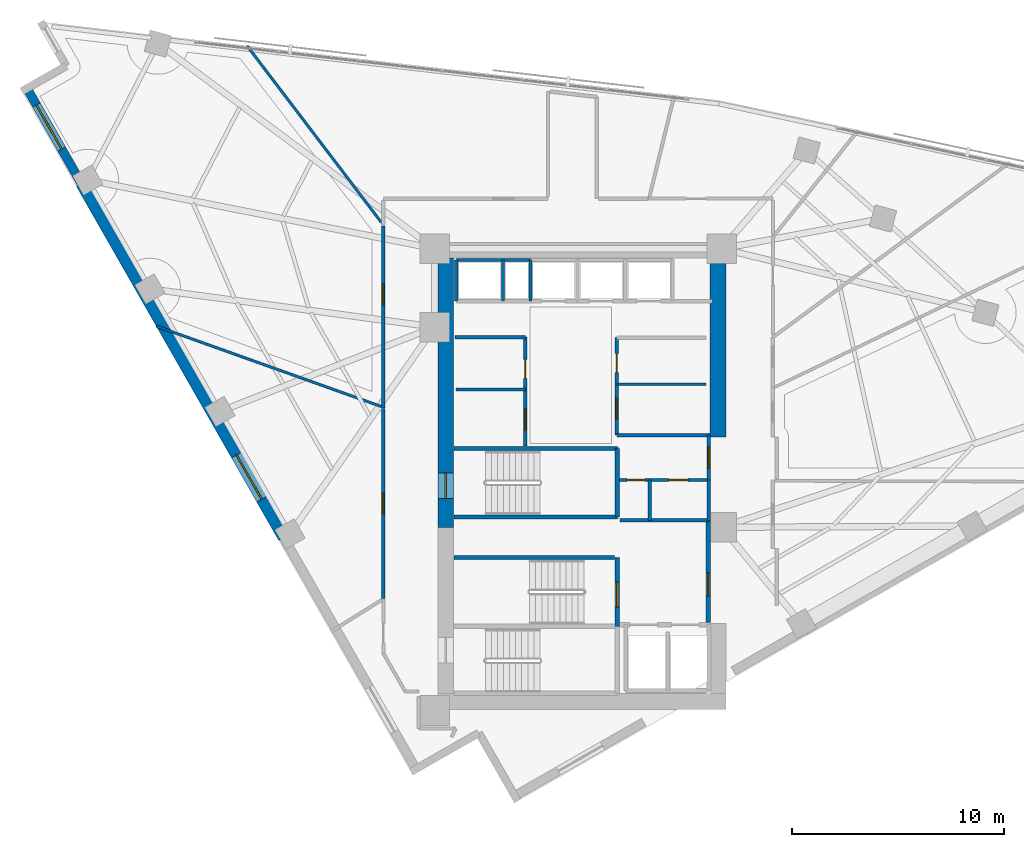
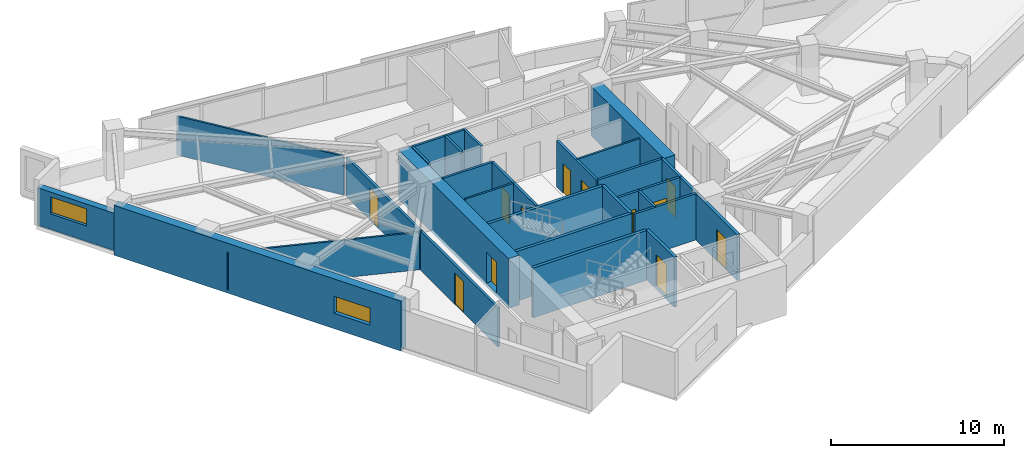
# One storey, part 9 of 14: 29 walls, 12 doors, 2 windows, 14 openings.
"""IFC4 building model written with IfcOpenShell, lengths in metres."""

import ifcopenshell
import ifcopenshell.guid

model = None  # the IFC model being written
_history = None  # IfcOwnerHistory: only IFC2X3 demands one
_inside = {}  # id of a spatial element -> (the spatial element, [elements in it])
_under = {}  # id of a project, library or spatial element -> (it, [spatial elements below it])
_declared = {}  # id of a project -> (the project, [libraries it declares])
_typed = {}  # id of a type object -> (the type object, [elements of that type])
_made_of = {}  # id of a material, layer set ... -> (it, [elements and type objects made of it])


def new_model(schema):
    """Start an empty IFC model of exactly this schema.

    Asked for "IFC4X3", IfcOpenShell would pick the latest addendum, in which some entities
    have other attributes; the version numbers below select the first issue.
    IFC2X3 requires an IfcOwnerHistory on every rooted entity: one is made here for all.
    """
    global model, _history
    if schema == "IFC4X3":
        model = ifcopenshell.file(schema_version=(4, 3, 0, 0))
    else:
        model = ifcopenshell.file(schema=schema)
    _inside.clear()
    _under.clear()
    _declared.clear()
    _typed.clear()
    _made_of.clear()
    _history = None
    if model.schema == "IFC2X3":
        org = make("IfcOrganization", Name="unknown")
        user = make(
            "IfcPersonAndOrganization",
            ThePerson=make("IfcPerson", FamilyName="unknown"),
            TheOrganization=org,
        )
        app = make(
            "IfcApplication",
            ApplicationDeveloper=org,
            Version="unknown",
            ApplicationFullName="unknown",
            ApplicationIdentifier="unknown",
        )
        _history = make(
            "IfcOwnerHistory",
            OwningUser=user,
            OwningApplication=app,
            ChangeAction="ADDED",
            CreationDate=0,
        )
    return model


def make(cls, **values):
    """One entity of the class cls with the attributes given. An attribute that is None is left unset."""
    return model.create_entity(
        cls, **{name: value for name, value in values.items() if value is not None}
    )


def rooted(cls, **values):
    """An entity with a GlobalId (a new one), such as an element, a storey or a relation."""
    return make(cls, GlobalId=ifcopenshell.guid.new(), OwnerHistory=_history, **values)


def si_unit(unit_type, name, prefix=None):
    """IfcSIUnit, for example si_unit("LENGTHUNIT", "METRE", prefix="MILLI")."""
    return make("IfcSIUnit", UnitType=unit_type, Prefix=prefix, Name=name)


def assignment(units):
    """IfcUnitAssignment: the units of a project."""
    return None if units is None else make("IfcUnitAssignment", Units=units)


def point(xyz):
    """IfcCartesianPoint."""
    return None if xyz is None else make("IfcCartesianPoint", Coordinates=xyz)


def direction(xyz):
    """IfcDirection."""
    return None if xyz is None else make("IfcDirection", DirectionRatios=xyz)


def frame(location, z_axis=None, x_axis=None):
    """IfcAxis2Placement3D, a coordinate frame: its origin and axes. An axis left out is left unset."""
    return make(
        "IfcAxis2Placement3D",
        Location=point(location),
        Axis=direction(z_axis),
        RefDirection=direction(x_axis),
    )


def frame_2d(location, x_axis=None):
    """IfcAxis2Placement2D, a coordinate frame in the plane: its origin and x axis."""
    return make(
        "IfcAxis2Placement2D", Location=point(location), RefDirection=direction(x_axis)
    )


def origin():
    """The frame at (0, 0, 0) with its axes left unset."""
    return frame((0.0, 0.0, 0.0))


def place(relative_to, where):
    """IfcLocalPlacement: puts the frame where relative to a parent placement (None: the world)."""
    return make(
        "IfcLocalPlacement", PlacementRelTo=relative_to, RelativePlacement=where
    )


def context(
    kind, dimensions, precision=None, world=None, true_north=None, identifier=None
):
    """IfcGeometricRepresentationContext, for example the 3D "Model" context."""
    return make(
        "IfcGeometricRepresentationContext",
        ContextIdentifier=identifier,
        ContextType=kind,
        CoordinateSpaceDimension=dimensions,
        Precision=precision,
        WorldCoordinateSystem=world,
        TrueNorth=true_north,
    )


def subcontext(parent, identifier, kind, view, scale=None):
    """IfcGeometricRepresentationSubContext, for example "Body" below "Model"."""
    return make(
        "IfcGeometricRepresentationSubContext",
        ContextIdentifier=identifier,
        ContextType=kind,
        ParentContext=parent,
        TargetScale=scale,
        TargetView=view,
    )


def project(units=None, contexts=None):
    """IfcProject with its units and contexts."""
    return rooted(
        "IfcProject",
        Name="project",
        RepresentationContexts=contexts,
        UnitsInContext=assignment(units),
    )


def spatial(cls, under=None, at=None, **own):
    """A site, building, storey or space (cls), placed at a placement, below another one or the project."""
    s = rooted(cls, ObjectPlacement=at, **own)
    if under is not None:
        _under.setdefault(under.id(), (under, []))[1].append(s)
    return s


def profile(cls, at=None, kind="AREA", **sizes):
    """A parametric profile (cls). Its sizes go by their IFC names, for example OverallWidth=200.0."""
    return make(cls, ProfileType=kind, Position=at, **sizes)


def rectangle(**sizes):
    """IfcRectangleProfileDef."""
    return profile("IfcRectangleProfileDef", **sizes)


def extrude(swept, where, along, depth):
    """IfcExtrudedAreaSolid: the profile swept, set in the frame where, extruded along a direction by depth."""
    return make(
        "IfcExtrudedAreaSolid",
        SweptArea=swept,
        Position=where,
        ExtrudedDirection=direction(along),
        Depth=depth,
    )


def shape(context_of_items, identifier, shape_type, items):
    """IfcShapeRepresentation: the items that make up one representation, for example the "Body"."""
    return make(
        "IfcShapeRepresentation",
        ContextOfItems=context_of_items,
        RepresentationIdentifier=identifier,
        RepresentationType=shape_type,
        Items=items,
    )


def material(Name=None, Category=None):
    """IfcMaterial."""
    return make("IfcMaterial", Name=Name, Category=Category)


def layer(
    of_material, thickness, ventilated=None, Name=None, Category=None, Priority=None
):
    """IfcMaterialLayer: one layer of a wall or slab, of a material (None: an air gap)."""
    return make(
        "IfcMaterialLayer",
        Material=of_material,
        LayerThickness=thickness,
        IsVentilated=ventilated,
        Name=Name,
        Category=Category,
        Priority=Priority,
    )


def layer_set(layers, Name=None):
    """IfcMaterialLayerSet."""
    return make("IfcMaterialLayerSet", MaterialLayers=layers, LayerSetName=Name)


def made_of(thing, what):
    """Note that an element or type object is made of a material, layer set ...; save() writes the relation."""
    if what is not None:
        _made_of.setdefault(what.id(), (what, []))[1].append(thing)
    return thing


def type_object(cls, material=None, **own):
    """A type object (cls), such as IfcWallType, which elements share."""
    return made_of(rooted(cls, **own), material)


def element(
    cls,
    number,
    at=None,
    inside=None,
    cuts=None,
    type_object=None,
    material=None,
    context=None,
    identifier="Body",
    shape_type=None,
    held_by="IfcProductDefinitionShape",
    body=None,
    shapes=None,
    **own,
):
    """One element of the class cls, such as IfcWall. Its Tag is "e" and its number.

    at: its placement. inside: the storey or other place that contains it. cuts: it is an
    opening in that element (IfcRelVoidsElement). A single representation is given by context,
    identifier, shape_type and body (its items); several are given by shapes. held_by: the class
    of the entity that holds the representations. save() writes the other relations.
    """
    e = rooted(cls, Tag="e%d" % number, ObjectPlacement=at, **own)
    if body is not None:
        shapes = [shape(context, identifier, shape_type, body)]
    if shapes is not None:
        e.Representation = make(held_by, Representations=shapes)
    if inside is not None:
        _inside.setdefault(inside.id(), (inside, []))[1].append(e)
    if cuts is not None:
        rooted(
            "IfcRelVoidsElement", RelatingBuildingElement=cuts, RelatedOpeningElement=e
        )
    if type_object is not None:
        _typed.setdefault(type_object.id(), (type_object, []))[1].append(e)
    return made_of(e, material)


def fill(opening, filler):
    """IfcRelFillsElement: the door or window that sits in an opening."""
    return rooted(
        "IfcRelFillsElement",
        RelatingOpeningElement=opening,
        RelatedBuildingElement=filler,
    )


def aggregate(whole, parts):
    """IfcRelAggregates: a whole, such as a stair, and the parts it consists of."""
    return rooted("IfcRelAggregates", RelatingObject=whole, RelatedObjects=parts)


def save(model, path):
    """Write the relations noted so far, then the file.

    IfcRelAggregates (storeys below a building ...), IfcRelContainedInSpatialStructure (elements
    in a storey), IfcRelDefinesByType, IfcRelAssociatesMaterial and IfcRelDeclares: one each for
    every whole, place, type object, material and project.
    """
    for whole, parts in _under.values():
        aggregate(whole, parts)
    for where, things in _inside.values():
        rooted(
            "IfcRelContainedInSpatialStructure",
            RelatedElements=things,
            RelatingStructure=where,
        )
    for kind, things in _typed.values():
        rooted("IfcRelDefinesByType", RelatedObjects=things, RelatingType=kind)
    for what, things in _made_of.values():
        rooted("IfcRelAssociatesMaterial", RelatedObjects=things, RelatingMaterial=what)
    for by, libraries in _declared.values():
        rooted("IfcRelDeclares", RelatingContext=by, RelatedDefinitions=libraries)
    model.write(path)


model = new_model("IFC4")

# Units and contexts
model_context = context("Model", 3, precision=1e-05, world=origin(), true_north=direction((0.0, 1.0)))
body_context = subcontext(model_context, "Body", "Model", "MODEL_VIEW")
ifc_project = project(units=[si_unit("LENGTHUNIT", "METRE"), si_unit("AREAUNIT", "SQUARE_METRE"), si_unit("VOLUMEUNIT", "CUBIC_METRE"), si_unit("PLANEANGLEUNIT", "RADIAN"), si_unit("MASSUNIT", "GRAM", prefix="KILO")], contexts=[model_context])

# Site, building, storey
site_placement = place(None, origin())
site = spatial("IfcSite", under=ifc_project, at=site_placement, CompositionType="ELEMENT")
building_placement = place(site_placement, origin())
building = spatial("IfcBuilding", under=site, at=building_placement, Name="Narakoshi Arena Tower", CompositionType="ELEMENT")
storey_placement = place(building_placement, frame((0.0, 0.0, 204.419921875)))
storey = spatial("IfcBuildingStorey", under=building, at=storey_placement, Name="L55", CompositionType="ELEMENT", Elevation=204.419921875)

# Wall, opening, door
ifc_material_1 = material(Name="Concrete C50/60", Category="concrete")
ifc_layer_1 = layer(ifc_material_1, 0.75)
ifc_layer_set_1 = layer_set([ifc_layer_1], Name="Concrete C50/60")
wall_type_1 = type_object("IfcWallType", Name="WL-CORE-750", PredefinedType="SHEAR", material=ifc_layer_set_1)
wall_1_placement = place(storey_placement, frame((72.52490234375, 43.35009765625, -0.260009765625), z_axis=(0.0, 0.0, 1.0), x_axis=(0.0, 1.0, 0.0)))
wall_1 = element("IfcWall", 1, at=wall_1_placement, inside=storey, type_object=wall_type_1, Name="L55 Main Core Shear Wall CW-MN-W", PredefinedType="SHEAR", context=body_context, shape_type="SweptSolid", body=[
    extrude(rectangle(XDim=12.699951171875, YDim=0.75, at=frame_2d((6.35009765625, 0.0))), origin(), (0.0, 0.0, 1.0), 3.52001953125),
])
opening_1_placement = place(wall_1_placement, frame((1.35009765625, 0.0, 0.260009765625)))
opening_1 = element("IfcOpeningElement", 2, at=opening_1_placement, cuts=wall_1, Name="Opening D-03", PredefinedType="OPENING", context=body_context, shape_type="SweptSolid", body=[
    extrude(rectangle(XDim=1.199951171875, YDim=2.199951171875, at=frame_2d((0.60009765625, 1.10009765625))), frame((0.0, 0.385009765625, 0.0), z_axis=(0.0, -1.0, 0.0), x_axis=(1.0, 0.0, 0.0)), (0.0, 0.0, 1.0), 0.77001953125),
])
ifc_material_2 = material(Name="Painted galvanized steel", Category="steel")
door_type_1 = type_object("IfcDoorType", Name="DR-STR-1200", OperationType="NOTDEFINED", PredefinedType="USERDEFINED", material=ifc_material_2)
door_1_placement = place(opening_1_placement, frame((1.199951171875, 0.0, 0.0), z_axis=(0.0, 0.0, 1.0), x_axis=(-1.0, 0.0, 0.0)))
door_1 = element("IfcDoor", 3, at=door_1_placement, inside=storey, type_object=door_type_1, Name="DR-L55-006", ObjectType="EXITDOOR", OperationType="SINGLE_SWING_LEFT", OverallHeight=2.199951171875, OverallWidth=1.199951171875, PredefinedType="USERDEFINED", context=body_context, shape_type="SweptSolid", body=[
    extrude(rectangle(XDim=1.199951171875, YDim=2.199951171875, at=frame_2d((0.60009765625, 1.10009765625))), frame((0.0, 0.02490234375, 0.0), z_axis=(0.0, -1.0, 0.0), x_axis=(1.0, 0.0, 0.0)), (0.0, 0.0, 1.0), 0.050048828125),
])
fill(opening_1, door_1)

# Wall
wall_2_placement = place(storey_placement, frame((85.375, 47.60009765625, -0.260009765625), z_axis=(0.0, 0.0, 1.0), x_axis=(0.0, 1.0, 0.0)))
element("IfcWall", 4, at=wall_2_placement, inside=storey, type_object=wall_type_1, Name="L55 Main Core Shear Wall CW-MN-E", PredefinedType="SHEAR", context=body_context, shape_type="SweptSolid", body=[
    extrude(rectangle(XDim=8.449951171875, YDim=0.75, at=frame_2d((4.22509765625, 0.0))), origin(), (0.0, 0.0, 1.0), 3.52001953125),
])

# Wall, opening, door
ifc_material_3 = material(Name="Gypsum plasterboard fire-rated partition")
ifc_layer_2 = layer(ifc_material_3, 0.1650390625)
ifc_layer_set_2 = layer_set([ifc_layer_2], Name="Gypsum plasterboard fire-rated partition")
wall_type_2 = type_object("IfcWallType", Name="WL-CORR-165", PredefinedType="PARTITIONING", material=ifc_layer_set_2)
wall_3_placement = place(storey_placement, frame((84.949951171875, 45.580078125, 0.0), z_axis=(0.0, 0.0, 1.0), x_axis=(0.0, 1.0, 0.0)))
wall_3 = element("IfcWall", 5, at=wall_3_placement, inside=storey, type_object=wall_type_2, Name="L55 Core Wall CPAS-E", PredefinedType="PARTITIONING", context=body_context, shape_type="SweptSolid", body=[
    extrude(rectangle(XDim=2.119873046875, YDim=0.1650390625, at=frame_2d((1.06005859375, 0.0))), origin(), (0.0, 0.0, 1.0), 3.260009765625),
])
opening_2_placement = place(wall_3_placement, frame((0.56005859375, 0.0, 0.0)))
opening_2 = element("IfcOpeningElement", 6, at=opening_2_placement, cuts=wall_3, Name="Opening D-06", PredefinedType="OPENING", context=body_context, shape_type="SweptSolid", body=[
    extrude(rectangle(XDim=1.0, YDim=2.199951171875, at=frame_2d((0.5, 1.10009765625))), frame((0.0, 0.092529296875, 0.0), z_axis=(0.0, -1.0, 0.0), x_axis=(1.0, 0.0, 0.0)), (0.0, 0.0, 1.0), 0.18505859375),
])
ifc_material_4 = material(Name="Stained oak solid-core timber", Category="wood")
door_type_2 = type_object("IfcDoorType", Name="DR-OFF-1000", OperationType="NOTDEFINED", PredefinedType="DOOR", material=ifc_material_4)
door_2_placement = place(opening_2_placement, frame((1.0, 0.0, 0.0), z_axis=(0.0, 0.0, 1.0), x_axis=(-1.0, 0.0, 0.0)))
door_2 = element("IfcDoor", 7, at=door_2_placement, inside=storey, type_object=door_type_2, Name="DR-L55-007", OperationType="SINGLE_SWING_LEFT", OverallHeight=2.199951171875, OverallWidth=1.0, PredefinedType="DOOR", context=body_context, shape_type="SweptSolid", body=[
    extrude(rectangle(XDim=1.0, YDim=2.199951171875, at=frame_2d((0.5, 1.10009765625))), frame((0.0, 0.02490234375, 0.0), z_axis=(0.0, -1.0, 0.0), x_axis=(1.0, 0.0, 0.0)), (0.0, 0.0, 1.0), 0.050048828125),
])
fill(opening_2, door_2)

wall_4_placement = place(storey_placement, frame((69.583251953125, 57.5703125, 0.0), z_axis=(0.0, 0.0, 1.0), x_axis=(0.0, -1.0, 0.0)))
wall_4 = element("IfcWall", 8, at=wall_4_placement, inside=storey, type_object=wall_type_2, Name="L55 Corridor Partition 08-1", PredefinedType="PARTITIONING", context=body_context, shape_type="SweptSolid", body=[
    extrude(rectangle(XDim=8.59375, YDim=0.1650390625, at=frame_2d((4.296875, 0.0))), origin(), (0.0, 0.0, 1.0), 2.7451171875),
])
opening_3_placement = place(wall_4_placement, frame((2.7177734375, 0.0, 0.0)))
opening_3 = element("IfcOpeningElement", 9, at=opening_3_placement, cuts=wall_4, Name="Opening D-06", PredefinedType="OPENING", context=body_context, shape_type="SweptSolid", body=[
    extrude(rectangle(XDim=1.0, YDim=2.199951171875, at=frame_2d((0.5, 1.10009765625))), frame((0.0, 0.092529296875, 0.0), z_axis=(0.0, -1.0, 0.0), x_axis=(1.0, 0.0, 0.0)), (0.0, 0.0, 1.0), 0.18505859375),
])
door_3_placement = place(opening_3_placement, frame((1.0, 0.0, 0.0), z_axis=(0.0, 0.0, 1.0), x_axis=(-1.0, 0.0, 0.0)))
door_3 = element("IfcDoor", 10, at=door_3_placement, inside=storey, type_object=door_type_2, Name="DR-L55-024", OperationType="SINGLE_SWING_RIGHT", OverallHeight=2.199951171875, OverallWidth=1.0, PredefinedType="DOOR", context=body_context, shape_type="SweptSolid", body=[
    extrude(rectangle(XDim=1.0, YDim=2.199951171875, at=frame_2d((0.5, 1.10009765625))), frame((0.0, 0.02490234375, 0.0), z_axis=(0.0, -1.0, 0.0), x_axis=(1.0, 0.0, 0.0)), (0.0, 0.0, 1.0), 0.050048828125),
])
fill(opening_3, door_3)

wall_5_placement = place(storey_placement, frame((69.583251953125, 48.950927734375, 0.0), z_axis=(0.0, 0.0, 1.0), x_axis=(0.0, -1.0, 0.0)))
wall_5 = element("IfcWall", 11, at=wall_5_placement, inside=storey, type_object=wall_type_2, Name="L55 Corridor Partition 09-1", PredefinedType="PARTITIONING", context=body_context, shape_type="SweptSolid", body=[
    extrude(rectangle(XDim=8.951904296875, YDim=0.1650390625, at=frame_2d((4.47607421875, 0.0))), origin(), (0.0, 0.0, 1.0), 2.7451171875),
])
opening_4_placement = place(wall_5_placement, frame((3.97607421875, 0.0, 0.0)))
opening_4 = element("IfcOpeningElement", 12, at=opening_4_placement, cuts=wall_5, Name="Opening D-06", PredefinedType="OPENING", context=body_context, shape_type="SweptSolid", body=[
    extrude(rectangle(XDim=1.0, YDim=2.199951171875, at=frame_2d((0.5, 1.10009765625))), frame((0.0, 0.092529296875, 0.0), z_axis=(0.0, -1.0, 0.0), x_axis=(1.0, 0.0, 0.0)), (0.0, 0.0, 1.0), 0.18505859375),
])
door_4_placement = place(opening_4_placement, frame((1.0, 0.0, 0.0), z_axis=(0.0, 0.0, 1.0), x_axis=(-1.0, 0.0, 0.0)))
door_4 = element("IfcDoor", 13, at=door_4_placement, inside=storey, type_object=door_type_2, Name="DR-L55-025", OperationType="SINGLE_SWING_LEFT", OverallHeight=2.199951171875, OverallWidth=1.0, PredefinedType="DOOR", context=body_context, shape_type="SweptSolid", body=[
    extrude(rectangle(XDim=1.0, YDim=2.199951171875, at=frame_2d((0.5, 1.10009765625))), frame((0.0, 0.02490234375, 0.0), z_axis=(0.0, -1.0, 0.0), x_axis=(1.0, 0.0, 0.0)), (0.0, 0.0, 1.0), 0.050048828125),
])
fill(opening_4, door_4)

# Wall, opening, window
ifc_layer_3 = layer(ifc_material_1, 0.550048828125)
ifc_layer_set_3 = layer_set([ifc_layer_3], Name="Concrete C50/60")
wall_type_3 = type_object("IfcWallType", Name="WL-LEG-550", PredefinedType="SHEAR", material=ifc_layer_set_3)
wall_6_placement = place(storey_placement, frame((55.3251953125, 59.5703125, -0.260009765625), z_axis=(0.0, 0.0, 1.0), x_axis=(0.496211351597, -0.868201759124, 0.0)))
wall_6 = element("IfcWall", 14, at=wall_6_placement, inside=storey, type_object=wall_type_3, Name="L55 Architectural Concrete Structural Wall LEGB-2", PredefinedType="SHEAR", context=body_context, shape_type="SweptSolid", body=[
    extrude(rectangle(XDim=19.242919921875, YDim=0.550048828125, at=frame_2d((9.62158203125, 0.0))), origin(), (0.0, 0.0, 1.0), 3.52001953125),
])
opening_5_placement = place(wall_6_placement, frame((14.7568359375, 0.0, 1.10009765625)))
opening_5 = element("IfcOpeningElement", 15, at=opening_5_placement, cuts=wall_6, Name="Opening WN-04", PredefinedType="OPENING", context=body_context, shape_type="SweptSolid", body=[
    extrude(rectangle(XDim=2.39990234375, YDim=1.199951171875, at=frame_2d((1.199951171875, 0.60009765625))), frame((0.0, 0.284912109375, 0.0), z_axis=(0.0, -1.0, 0.0), x_axis=(1.0, 0.0, 0.0)), (0.0, 0.0, 1.0), 0.570068359375),
])
ifc_material_5 = material(Name="Bronze-tinted low-E laminated glass", Category="glass")
window_type = type_object("IfcWindowType", Name="WIN-SLT-24x12", PartitioningType="SINGLE_PANEL", PredefinedType="WINDOW", material=ifc_material_5)
window_1_placement = place(opening_5_placement, origin())
window_1 = element("IfcWindow", 16, at=window_1_placement, inside=storey, type_object=window_type, Name="L55 LEGB2 Horizontal Slot Window 1", OverallHeight=1.199951171875, OverallWidth=2.39990234375, PartitioningType="SINGLE_PANEL", PredefinedType="WINDOW", context=body_context, shape_type="SweptSolid", body=[
    extrude(rectangle(XDim=2.39990234375, YDim=1.199951171875, at=frame_2d((1.199951171875, 0.60009765625))), frame((0.0, 0.030029296875, 0.0), z_axis=(0.0, -1.0, 0.0), x_axis=(1.0, 0.0, 0.0)), (0.0, 0.0, 1.0), 0.06005859375),
])
fill(opening_5, window_1)

# Walls
ifc_layer_4 = layer(ifc_material_3, 0.125)
ifc_layer_set_4 = layer_set([ifc_layer_4], Name="Gypsum plasterboard fire-rated partition")
wall_type_4 = type_object("IfcWallType", Name="WL-PART-125", PredefinedType="PARTITIONING", material=ifc_layer_set_4)
wall_7_placement = place(storey_placement, frame((73.0, 49.85009765625, 0.0), z_axis=(0.0, 0.0, 1.0), x_axis=(1.0, 0.0, 0.0)))
element("IfcWall", 17, at=wall_7_placement, inside=storey, type_object=wall_type_4, Name="L55 Core Wall RCL-LR-D0", PredefinedType="PARTITIONING", context=body_context, shape_type="SweptSolid", body=[
    extrude(rectangle(XDim=3.280029296875, YDim=0.125, at=frame_2d((1.64013671875, 0.0))), origin(), (0.0, 0.0, 1.0), 3.260009765625),
])
wall_8_placement = place(storey_placement, frame((80.60009765625, 50.10009765625, 0.0), z_axis=(0.0, 0.0, 1.0), x_axis=(1.0, 0.0, 0.0)))
element("IfcWall", 18, at=wall_8_placement, inside=storey, type_object=wall_type_4, Name="L55 Core Wall RCL-MR-D", PredefinedType="PARTITIONING", context=body_context, shape_type="SweptSolid", body=[
    extrude(rectangle(XDim=4.219970703125, YDim=0.125, at=frame_2d((2.10986328125, 0.0))), origin(), (0.0, 0.0, 1.0), 3.260009765625),
])
wall_9_placement = place(storey_placement, frame((69.48876953125, 57.73388671875, 0.0), z_axis=(0.0, 0.0, 1.0), x_axis=(-0.605299937373, 0.795997478524, 0.0)))
element("IfcWall", 19, at=wall_9_placement, inside=storey, type_object=wall_type_4, Name="L55 Inter-Room Partition 07-08", PredefinedType="PARTITIONING", context=body_context, shape_type="SweptSolid", body=[
    extrude(rectangle(XDim=10.48388671875, YDim=0.125, at=frame_2d((5.241943359375, 0.0))), origin(), (0.0, 0.0, 1.0), 2.7451171875),
])
wall_10_placement = place(storey_placement, frame((69.48876953125, 49.048583984375, 0.0), z_axis=(0.0, 0.0, 1.0), x_axis=(-0.941850456262, 0.336032316956, 0.0)))
element("IfcWall", 20, at=wall_10_placement, inside=storey, type_object=wall_type_4, Name="L55 Inter-Room Partition 08-09", PredefinedType="PARTITIONING", context=body_context, shape_type="SweptSolid", body=[
    extrude(rectangle(XDim=11.2919921875, YDim=0.125, at=frame_2d((5.64599609375, 0.0))), origin(), (0.0, 0.0, 1.0), 2.64501953125),
])

# Wall, opening, window
ifc_material_6 = material(Name="Precast concrete C45/55", Category="concrete")
ifc_layer_5 = layer(ifc_material_6, 0.419921875)
ifc_layer_set_5 = layer_set([ifc_layer_5], Name="Precast concrete C45/55")
wall_type_5 = type_object("IfcWallType", Name="WL-POD-420", PredefinedType="SOLIDWALL", material=ifc_layer_set_5)
wall_11_placement = place(storey_placement, frame((52.75439453125, 64.068359375, 0.0), z_axis=(0.0, 0.0, 1.0), x_axis=(0.496209984367, -0.868202540548, 0.0)))
wall_11 = element("IfcWall", 21, at=wall_11_placement, inside=storey, type_object=wall_type_5, Name="L55 Architectural Concrete Facade Wall LEGB-1", PredefinedType="SOLIDWALL", context=body_context, shape_type="SweptSolid", body=[
    extrude(rectangle(XDim=5.180908203125, YDim=0.419921875, at=frame_2d((2.59033203125, 0.0))), origin(), (0.0, 0.0, 1.0), 2.64501953125),
])
opening_6_placement = place(wall_11_placement, frame((0.89990234375, 0.0, 1.10009765625)))
opening_6 = element("IfcOpeningElement", 22, at=opening_6_placement, cuts=wall_11, Name="Opening WN-04", PredefinedType="OPENING", context=body_context, shape_type="SweptSolid", body=[
    extrude(rectangle(XDim=2.39990234375, YDim=1.199951171875, at=frame_2d((1.199951171875, 0.60009765625))), frame((0.0, 0.219970703125, 0.0), z_axis=(0.0, -1.0, 0.0), x_axis=(1.0, 0.0, 0.0)), (0.0, 0.0, 1.0), 0.43994140625),
])
window_2_placement = place(opening_6_placement, origin())
window_2 = element("IfcWindow", 23, at=window_2_placement, inside=storey, type_object=window_type, Name="L55 LEGB1 Horizontal Slot Window 1", OverallHeight=1.199951171875, OverallWidth=2.39990234375, PartitioningType="SINGLE_PANEL", PredefinedType="WINDOW", context=body_context, shape_type="SweptSolid", body=[
    extrude(rectangle(XDim=2.39990234375, YDim=1.199951171875, at=frame_2d((1.199951171875, 0.60009765625))), frame((0.0, 0.030029296875, 0.0), z_axis=(0.0, -1.0, 0.0), x_axis=(1.0, 0.0, 0.0)), (0.0, 0.0, 1.0), 0.06005859375),
])
fill(opening_6, window_2)

# Wall
ifc_material_7 = material(Name="Concrete C40/50", Category="concrete")
ifc_layer_6 = layer(ifc_material_7, 0.280029296875)
ifc_layer_set_6 = layer_set([ifc_layer_6], Name="Concrete C40/50")
wall_type_6 = type_object("IfcWallType", Name="WL-RISER-280", PredefinedType="PLUMBINGWALL", material=ifc_layer_set_6)
wall_12_placement = place(storey_placement, frame((84.949951171875, 43.679931640625, 0.0), z_axis=(0.0, 0.0, 1.0), x_axis=(0.0, 1.0, 0.0)))
element("IfcWall", 24, at=wall_12_placement, inside=storey, type_object=wall_type_6, Name="L55 Core Wall RSR-E", PredefinedType="PLUMBINGWALL", context=body_context, shape_type="SweptSolid", body=[
    extrude(rectangle(XDim=1.900146484375, YDim=0.1650390625, at=frame_2d((0.9501953125, 0.0))), origin(), (0.0, 0.0, 1.0), 3.260009765625),
])

# Wall, openings, doors
wall_13_placement = place(storey_placement, frame((80.719970703125, 45.580078125, 0.0), z_axis=(0.0, 0.0, 1.0), x_axis=(1.0, 0.0, 0.0)))
wall_13 = element("IfcWall", 25, at=wall_13_placement, inside=storey, type_object=wall_type_6, Name="L55 Core Wall RSR-N", PredefinedType="PLUMBINGWALL", context=body_context, shape_type="SweptSolid", body=[
    extrude(rectangle(XDim=4.22998046875, YDim=0.159912109375, at=frame_2d((2.114990234375, 0.0))), origin(), (0.0, 0.0, 1.0), 3.260009765625),
])
opening_7_placement = place(wall_13_placement, frame((0.35009765625, 0.0, 0.0)))
opening_7 = element("IfcOpeningElement", 26, at=opening_7_placement, cuts=wall_13, Name="Opening D-10", PredefinedType="OPENING", context=body_context, shape_type="SweptSolid", body=[
    extrude(rectangle(XDim=0.85009765625, YDim=2.050048828125, at=frame_2d((0.425048828125, 1.02490234375))), frame((0.0, 0.08984375, 0.0), z_axis=(0.0, -1.0, 0.0), x_axis=(1.0, 0.0, 0.0)), (0.0, 0.0, 1.0), 0.179931640625),
])
opening_8_placement = place(wall_13_placement, frame((2.35009765625, 0.0, 0.0)))
opening_8 = element("IfcOpeningElement", 27, at=opening_8_placement, cuts=wall_13, Name="Opening D-08", PredefinedType="OPENING", context=body_context, shape_type="SweptSolid", body=[
    extrude(rectangle(XDim=0.89990234375, YDim=2.10009765625, at=frame_2d((0.449951171875, 1.050048828125))), frame((0.0, 0.08984375, 0.0), z_axis=(0.0, -1.0, 0.0), x_axis=(1.0, 0.0, 0.0)), (0.0, 0.0, 1.0), 0.179931640625),
])
door_type_3 = type_object("IfcDoorType", Name="DR-RSR-850", OperationType="NOTDEFINED", PredefinedType="DOOR", material=ifc_material_2)
door_5_placement = place(opening_7_placement, frame((0.85009765625, 0.0, 0.0), z_axis=(0.0, 0.0, 1.0), x_axis=(-1.0, 0.0, 0.0)))
door_5 = element("IfcDoor", 28, at=door_5_placement, inside=storey, type_object=door_type_3, Name="DR-L55-008", OperationType="SINGLE_SWING_LEFT", OverallHeight=2.050048828125, OverallWidth=0.85009765625, PredefinedType="DOOR", context=body_context, shape_type="SweptSolid", body=[
    extrude(rectangle(XDim=0.85009765625, YDim=2.050048828125, at=frame_2d((0.425048828125, 1.02490234375))), frame((0.0, 0.02490234375, 0.0), z_axis=(0.0, -1.0, 0.0), x_axis=(1.0, 0.0, 0.0)), (0.0, 0.0, 1.0), 0.050048828125),
])
fill(opening_7, door_5)
ifc_material_8 = material(Name="Moisture-resistant laminate timber", Category="wood")
door_type_4 = type_object("IfcDoorType", Name="DR-WC-900", OperationType="NOTDEFINED", PredefinedType="DOOR", material=ifc_material_8)
door_6_placement = place(opening_8_placement, frame((0.89990234375, 0.0, 0.0), z_axis=(0.0, 0.0, 1.0), x_axis=(-1.0, 0.0, 0.0)))
door_6 = element("IfcDoor", 29, at=door_6_placement, inside=storey, type_object=door_type_4, Name="DR-L55-009", OperationType="SINGLE_SWING_RIGHT", OverallHeight=2.10009765625, OverallWidth=0.89990234375, PredefinedType="DOOR", context=body_context, shape_type="SweptSolid", body=[
    extrude(rectangle(XDim=0.89990234375, YDim=2.10009765625, at=frame_2d((0.449951171875, 1.050048828125))), frame((0.0, 0.02490234375, 0.0), z_axis=(0.0, -1.0, 0.0), x_axis=(1.0, 0.0, 0.0)), (0.0, 0.0, 1.0), 0.050048828125),
])
fill(opening_8, door_6)

# Walls
wall_14_placement = place(storey_placement, frame((80.760009765625, 43.679931640625, 0.0), z_axis=(0.0, 0.0, 1.0), x_axis=(1.0, 0.0, 0.0)))
element("IfcWall", 30, at=wall_14_placement, inside=storey, type_object=wall_type_6, Name="L55 Core Wall RSR-S", PredefinedType="PLUMBINGWALL", context=body_context, shape_type="SweptSolid", body=[
    extrude(rectangle(XDim=4.18994140625, YDim=0.159912109375, at=frame_2d((2.094970703125, 0.0))), origin(), (0.0, 0.0, 1.0), 3.260009765625),
])
wall_15_placement = place(storey_placement, frame((82.14990234375, 43.679931640625, 0.0), z_axis=(0.0, 0.0, 1.0), x_axis=(0.0, 1.0, 0.0)))
element("IfcWall", 31, at=wall_15_placement, inside=storey, type_object=wall_type_6, Name="L55 Core Wall RSR-M", PredefinedType="PLUMBINGWALL", context=body_context, shape_type="SweptSolid", body=[
    extrude(rectangle(XDim=1.900146484375, YDim=0.159912109375, at=frame_2d((0.9501953125, 0.0))), origin(), (0.0, 0.0, 1.0), 3.260009765625),
])
for number, where, z_axis, x_axis, name in (
    (32, (73.02001953125, 54.02001953125, 0.0), (0.0, 0.0, 1.0), (0.0, 1.0, 0.0), "L55 Core Wall OBS-W"),
    (33, (75.219970703125, 54.02001953125, 0.0), (0.0, 0.0, 1.0), (0.0, 1.0, 0.0), "L55 Core Wall OBS-M"),
):
    element("IfcWall", number, at=place(storey_placement, frame(where, z_axis=z_axis, x_axis=x_axis)), inside=storey, type_object=wall_type_6, Name=name, PredefinedType="PLUMBINGWALL", context=body_context, shape_type="SweptSolid", body=[
        extrude(rectangle(XDim=1.93994140625, YDim=0.14990234375, at=frame_2d((0.969970703125, 0.0))), origin(), (0.0, 0.0, 1.0), 3.260009765625),
    ])

# Wall, opening, door
ifc_layer_7 = layer(ifc_material_1, 0.35009765625)
ifc_layer_set_7 = layer_set([ifc_layer_7], Name="Concrete C50/60")
wall_type_7 = type_object("IfcWallType", Name="WL-SHAFT-350", PredefinedType="SOLIDWALL", material=ifc_layer_set_7)
wall_16_placement = place(storey_placement, frame((80.6201171875, 38.675048828125, -0.260009765625), z_axis=(0.0, 0.0, 1.0), x_axis=(0.0, 1.0, 0.0)))
wall_16 = element("IfcWall", 34, at=wall_16_placement, inside=storey, type_object=wall_type_7, Name="L55 Core Wall ST2-E", PredefinedType="SOLIDWALL", context=body_context, shape_type="SweptSolid", body=[
    extrude(rectangle(XDim=3.244873046875, YDim=0.199951171875, at=frame_2d((1.62255859375, 0.0))), origin(), (0.0, 0.0, 1.0), 3.52001953125),
])
opening_9_placement = place(wall_16_placement, frame((0.89990234375, 0.0, 0.260009765625)))
opening_9 = element("IfcOpeningElement", 35, at=opening_9_placement, cuts=wall_16, Name="Opening D-03", PredefinedType="OPENING", context=body_context, shape_type="SweptSolid", body=[
    extrude(rectangle(XDim=1.199951171875, YDim=2.199951171875, at=frame_2d((0.60009765625, 1.10009765625))), frame((0.0, 0.10986328125, 0.0), z_axis=(0.0, -1.0, 0.0), x_axis=(1.0, 0.0, 0.0)), (0.0, 0.0, 1.0), 0.219970703125),
])
door_7_placement = place(opening_9_placement, origin())
door_7 = element("IfcDoor", 36, at=door_7_placement, inside=storey, type_object=door_type_1, Name="DR-L55-002", ObjectType="EXITDOOR", OperationType="SINGLE_SWING_RIGHT", OverallHeight=2.199951171875, OverallWidth=1.199951171875, PredefinedType="USERDEFINED", context=body_context, shape_type="SweptSolid", body=[
    extrude(rectangle(XDim=1.199951171875, YDim=2.199951171875, at=frame_2d((0.60009765625, 1.10009765625))), frame((0.0, 0.02490234375, 0.0), z_axis=(0.0, -1.0, 0.0), x_axis=(1.0, 0.0, 0.0)), (0.0, 0.0, 1.0), 0.050048828125),
])
fill(opening_9, door_7)

wall_17_placement = place(storey_placement, frame((84.919921875, 38.85009765625, 0.0), z_axis=(0.0, 0.0, 1.0), x_axis=(0.0, 1.0, 0.0)))
wall_17 = element("IfcWall", 37, at=wall_17_placement, inside=storey, type_object=wall_type_7, Name="L55 Core Wall FFLOB-E", PredefinedType="SOLIDWALL", context=body_context, shape_type="SweptSolid", body=[
    extrude(rectangle(XDim=4.829833984375, YDim=0.199951171875, at=frame_2d((2.4150390625, 0.0))), origin(), (0.0, 0.0, 1.0), 3.260009765625),
])
opening_10_placement = place(wall_17_placement, frame((1.25, 0.0, 0.0)))
opening_10 = element("IfcOpeningElement", 38, at=opening_10_placement, cuts=wall_17, Name="Opening D-04", PredefinedType="OPENING", context=body_context, shape_type="SweptSolid", body=[
    extrude(rectangle(XDim=1.10009765625, YDim=2.199951171875, at=frame_2d((0.550048828125, 1.10009765625))), frame((0.0, 0.10986328125, 0.0), z_axis=(0.0, -1.0, 0.0), x_axis=(1.0, 0.0, 0.0)), (0.0, 0.0, 1.0), 0.219970703125),
])
door_type_5 = type_object("IfcDoorType", Name="DR-FFL-1100", OperationType="NOTDEFINED", PredefinedType="DOOR", material=ifc_material_2)
door_8_placement = place(opening_10_placement, frame((1.10009765625, 0.0, 0.0), z_axis=(0.0, 0.0, 1.0), x_axis=(-1.0, 0.0, 0.0)))
door_8 = element("IfcDoor", 39, at=door_8_placement, inside=storey, type_object=door_type_5, Name="DR-L55-005", OperationType="SINGLE_SWING_RIGHT", OverallHeight=2.199951171875, OverallWidth=1.10009765625, PredefinedType="DOOR", context=body_context, shape_type="SweptSolid", body=[
    extrude(rectangle(XDim=1.10009765625, YDim=2.199951171875, at=frame_2d((0.550048828125, 1.10009765625))), frame((0.0, 0.02490234375, 0.0), z_axis=(0.0, -1.0, 0.0), x_axis=(1.0, 0.0, 0.0)), (0.0, 0.0, 1.0), 0.050048828125),
])
fill(opening_10, door_8)

# Walls
wall_18_placement = place(storey_placement, frame((72.919921875, 41.919921875, -0.260009765625), z_axis=(0.0, 0.0, 1.0), x_axis=(1.0, 0.0, 0.0)))
element("IfcWall", 40, at=wall_18_placement, inside=storey, type_object=wall_type_7, Name="L55 Core Wall ST2-N", PredefinedType="SOLIDWALL", context=body_context, shape_type="SweptSolid", body=[
    extrude(rectangle(XDim=7.580078125, YDim=0.199951171875, at=frame_2d((3.7900390625, 0.0))), origin(), (0.0, 0.0, 1.0), 3.52001953125),
])
for number, where, z_axis, x_axis, name in (
    (41, (72.919921875, 43.830078125, -0.260009765625), (0.0, 0.0, 1.0), (1.0, 0.0, 0.0), "L55 Core Wall ST3-S"),
    (42, (72.919921875, 47.070068359375, -0.260009765625), (0.0, 0.0, 1.0), (1.0, 0.0, 0.0), "L55 Core Wall ST3-N"),
):
    element("IfcWall", number, at=place(storey_placement, frame(where, z_axis=z_axis, x_axis=x_axis)), inside=storey, type_object=wall_type_7, Name=name, PredefinedType="SOLIDWALL", context=body_context, shape_type="SweptSolid", body=[
        extrude(rectangle(XDim=7.7001953125, YDim=0.199951171875, at=frame_2d((3.85009765625, 0.0))), origin(), (0.0, 0.0, 1.0), 3.52001953125),
    ])
wall_19_placement = place(storey_placement, frame((80.6201171875, 43.830078125, -0.260009765625), z_axis=(0.0, 0.0, 1.0), x_axis=(0.0, 1.0, 0.0)))
element("IfcWall", 43, at=wall_19_placement, inside=storey, type_object=wall_type_7, Name="L55 Core Wall ST3-E", PredefinedType="SOLIDWALL", context=body_context, shape_type="SweptSolid", body=[
    extrude(rectangle(XDim=3.239990234375, YDim=0.199951171875, at=frame_2d((1.6201171875, 0.0))), origin(), (0.0, 0.0, 1.0), 3.52001953125),
])

# Wall, openings, doors
wall_20_placement = place(storey_placement, frame((76.280029296875, 47.179931640625, 0.0), z_axis=(0.0, 0.0, 1.0), x_axis=(0.0, 1.0, 0.0)))
wall_20 = element("IfcWall", 44, at=wall_20_placement, inside=storey, type_object=wall_type_7, Name="L55 Core Wall LR-E", PredefinedType="SOLIDWALL", context=body_context, shape_type="SweptSolid", body=[
    extrude(rectangle(XDim=5.14013671875, YDim=0.159912109375, at=frame_2d((2.570068359375, 0.0))), origin(), (0.0, 0.0, 1.0), 3.260009765625),
])
opening_11_placement = place(wall_20_placement, frame((0.75, 0.0, 0.0)))
opening_11 = element("IfcOpeningElement", 45, at=opening_11_placement, cuts=wall_20, Name="Opening D-06", PredefinedType="OPENING", context=body_context, shape_type="SweptSolid", body=[
    extrude(rectangle(XDim=1.0, YDim=2.199951171875, at=frame_2d((0.5, 1.10009765625))), frame((0.0, 0.08984375, 0.0), z_axis=(0.0, -1.0, 0.0), x_axis=(1.0, 0.0, 0.0)), (0.0, 0.0, 1.0), 0.179931640625),
])
opening_12_placement = place(wall_20_placement, frame((3.199951171875, 0.0, 0.0)))
opening_12 = element("IfcOpeningElement", 46, at=opening_12_placement, cuts=wall_20, Name="Opening D-08", PredefinedType="OPENING", context=body_context, shape_type="SweptSolid", body=[
    extrude(rectangle(XDim=0.89990234375, YDim=2.10009765625, at=frame_2d((0.449951171875, 1.050048828125))), frame((0.0, 0.08984375, 0.0), z_axis=(0.0, -1.0, 0.0), x_axis=(1.0, 0.0, 0.0)), (0.0, 0.0, 1.0), 0.179931640625),
])
door_9_placement = place(opening_11_placement, frame((1.0, 0.0, 0.0), z_axis=(0.0, 0.0, 1.0), x_axis=(-1.0, 0.0, 0.0)))
door_9 = element("IfcDoor", 47, at=door_9_placement, inside=storey, type_object=door_type_2, Name="DR-L55-010", OperationType="SINGLE_SWING_LEFT", OverallHeight=2.199951171875, OverallWidth=1.0, PredefinedType="DOOR", context=body_context, shape_type="SweptSolid", body=[
    extrude(rectangle(XDim=1.0, YDim=2.199951171875, at=frame_2d((0.5, 1.10009765625))), frame((0.0, 0.02490234375, 0.0), z_axis=(0.0, -1.0, 0.0), x_axis=(1.0, 0.0, 0.0)), (0.0, 0.0, 1.0), 0.050048828125),
])
fill(opening_11, door_9)
door_10_placement = place(opening_12_placement, frame((0.89990234375, 0.0, 0.0), z_axis=(0.0, 0.0, 1.0), x_axis=(-1.0, 0.0, 0.0)))
door_10 = element("IfcDoor", 48, at=door_10_placement, inside=storey, type_object=door_type_4, Name="DR-L55-011", OperationType="SINGLE_SWING_RIGHT", OverallHeight=2.10009765625, OverallWidth=0.89990234375, PredefinedType="DOOR", context=body_context, shape_type="SweptSolid", body=[
    extrude(rectangle(XDim=0.89990234375, YDim=2.10009765625, at=frame_2d((0.449951171875, 1.050048828125))), frame((0.0, 0.02490234375, 0.0), z_axis=(0.0, -1.0, 0.0), x_axis=(1.0, 0.0, 0.0)), (0.0, 0.0, 1.0), 0.050048828125),
])
fill(opening_12, door_10)

# Wall
wall_21_placement = place(storey_placement, frame((72.949951171875, 52.320068359375, 0.0), z_axis=(0.0, 0.0, 1.0), x_axis=(1.0, 0.0, 0.0)))
element("IfcWall", 49, at=wall_21_placement, inside=storey, type_object=wall_type_7, Name="L55 Core Wall LR-N", PredefinedType="SOLIDWALL", context=body_context, shape_type="SweptSolid", body=[
    extrude(rectangle(XDim=3.330078125, YDim=0.14990234375, at=frame_2d((1.6650390625, 0.0))), origin(), (0.0, 0.0, 1.0), 3.260009765625),
])

# Wall, openings, doors
wall_22_placement = place(storey_placement, frame((80.60009765625, 47.699951171875, 0.0), z_axis=(0.0, 0.0, 1.0), x_axis=(0.0, 1.0, 0.0)))
wall_22 = element("IfcWall", 50, at=wall_22_placement, inside=storey, type_object=wall_type_7, Name="L55 Core Wall MR-W", PredefinedType="SOLIDWALL", context=body_context, shape_type="SweptSolid", body=[
    extrude(rectangle(XDim=4.60009765625, YDim=0.159912109375, at=frame_2d((2.300048828125, 0.0))), origin(), (0.0, 0.0, 1.0), 3.260009765625),
])
opening_13_placement = place(wall_22_placement, frame((0.75, 0.0, 0.0)))
opening_13 = element("IfcOpeningElement", 51, at=opening_13_placement, cuts=wall_22, Name="Opening D-06", PredefinedType="OPENING", context=body_context, shape_type="SweptSolid", body=[
    extrude(rectangle(XDim=1.0, YDim=2.199951171875, at=frame_2d((0.5, 1.10009765625))), frame((0.0, 0.08984375, 0.0), z_axis=(0.0, -1.0, 0.0), x_axis=(1.0, 0.0, 0.0)), (0.0, 0.0, 1.0), 0.179931640625),
])
opening_14_placement = place(wall_22_placement, frame((2.949951171875, 0.0, 0.0)))
opening_14 = element("IfcOpeningElement", 52, at=opening_14_placement, cuts=wall_22, Name="Opening D-08", PredefinedType="OPENING", context=body_context, shape_type="SweptSolid", body=[
    extrude(rectangle(XDim=0.89990234375, YDim=2.10009765625, at=frame_2d((0.449951171875, 1.050048828125))), frame((0.0, 0.08984375, 0.0), z_axis=(0.0, -1.0, 0.0), x_axis=(1.0, 0.0, 0.0)), (0.0, 0.0, 1.0), 0.179931640625),
])
door_11_placement = place(opening_13_placement, origin())
door_11 = element("IfcDoor", 53, at=door_11_placement, inside=storey, type_object=door_type_2, Name="DR-L55-012", OperationType="SINGLE_SWING_RIGHT", OverallHeight=2.199951171875, OverallWidth=1.0, PredefinedType="DOOR", context=body_context, shape_type="SweptSolid", body=[
    extrude(rectangle(XDim=1.0, YDim=2.199951171875, at=frame_2d((0.5, 1.10009765625))), frame((0.0, 0.02490234375, 0.0), z_axis=(0.0, -1.0, 0.0), x_axis=(1.0, 0.0, 0.0)), (0.0, 0.0, 1.0), 0.050048828125),
])
fill(opening_13, door_11)
door_12_placement = place(opening_14_placement, origin())
door_12 = element("IfcDoor", 54, at=door_12_placement, inside=storey, type_object=door_type_4, Name="DR-L55-013", OperationType="SINGLE_SWING_LEFT", OverallHeight=2.10009765625, OverallWidth=0.89990234375, PredefinedType="DOOR", context=body_context, shape_type="SweptSolid", body=[
    extrude(rectangle(XDim=0.89990234375, YDim=2.10009765625, at=frame_2d((0.449951171875, 1.050048828125))), frame((0.0, 0.02490234375, 0.0), z_axis=(0.0, -1.0, 0.0), x_axis=(1.0, 0.0, 0.0)), (0.0, 0.0, 1.0), 0.050048828125),
])
fill(opening_14, door_12)

# Walls
wall_23_placement = place(storey_placement, frame((80.60009765625, 47.699951171875, 0.0), z_axis=(0.0, 0.0, 1.0), x_axis=(1.0, 0.0, 0.0)))
element("IfcWall", 55, at=wall_23_placement, inside=storey, type_object=wall_type_7, Name="L55 Core Wall MR-S", PredefinedType="SOLIDWALL", context=body_context, shape_type="SweptSolid", body=[
    extrude(rectangle(XDim=4.39990234375, YDim=0.159912109375, at=frame_2d((2.199951171875, 0.0))), origin(), (0.0, 0.0, 1.0), 3.260009765625),
])
wall_24_placement = place(storey_placement, frame((73.02001953125, 55.9599609375, 0.0), z_axis=(0.0, 0.0, 1.0), x_axis=(1.0, 0.0, 0.0)))
element("IfcWall", 56, at=wall_24_placement, inside=storey, type_object=wall_type_7, Name="L55 Core Wall OBS-N", PredefinedType="SOLIDWALL", context=body_context, shape_type="SweptSolid", body=[
    extrude(rectangle(XDim=3.5, YDim=0.14990234375, at=frame_2d((1.75, 0.0))), origin(), (0.0, 0.0, 1.0), 3.260009765625),
])
wall_25_placement = place(storey_placement, frame((76.52001953125, 54.02001953125, 0.0), z_axis=(0.0, 0.0, 1.0), x_axis=(0.0, 1.0, 0.0)))
element("IfcWall", 57, at=wall_25_placement, inside=storey, type_object=wall_type_7, Name="L55 Core Wall OBS-E", PredefinedType="SOLIDWALL", context=body_context, shape_type="SweptSolid", body=[
    extrude(rectangle(XDim=1.93994140625, YDim=0.14990234375, at=frame_2d((0.969970703125, 0.0))), origin(), (0.0, 0.0, 1.0), 3.260009765625),
])

save(model, "model.ifc")
